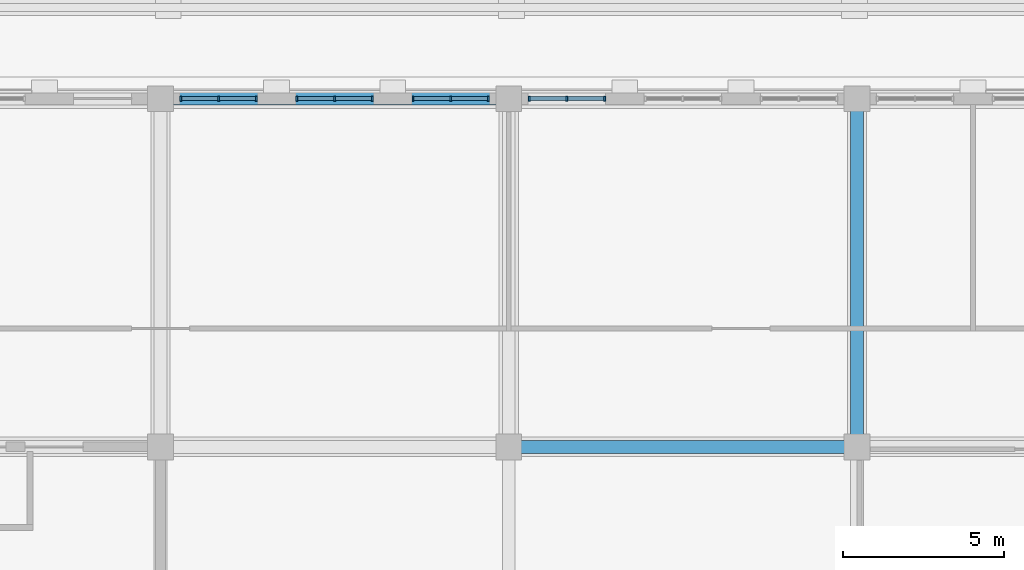
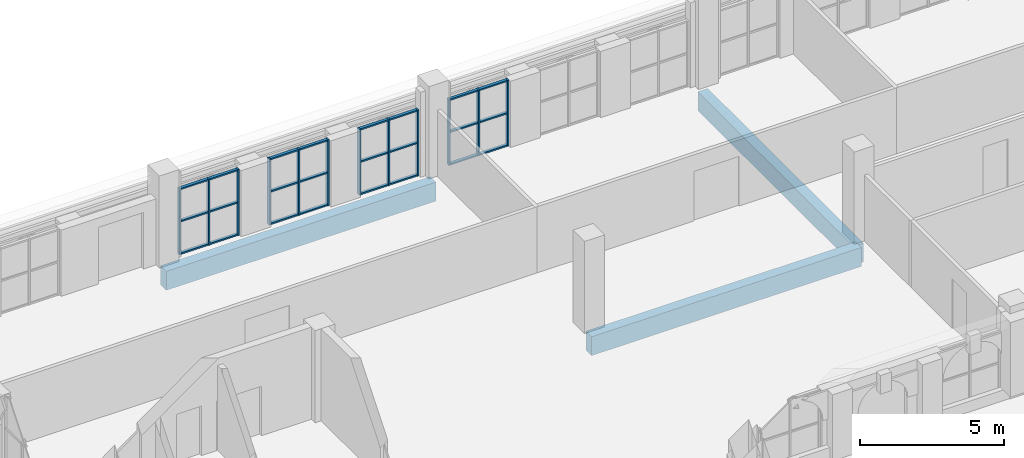
# One storey, part 31 of 95: 36 members, 3 beams, 4 elements without a shape of their own.
"""IFC4 building model written with IfcOpenShell, lengths in metres."""

from ifc_helpers import new_model, si_unit, direction, frame, origin, origin_2d, place, context, subcontext, project, spatial, rectangle, extrude, material, layer, layer_set, material_profile, profile_set, type_object, element, aggregate, save


model = new_model("IFC4")

# Units and contexts
model_context = context("Model", 3, precision=1e-05, world=origin(), true_north=direction((0.0, 1.0)))
body_context = subcontext(model_context, "Body", "Model", "MODEL_VIEW")
ifc_project = project(units=[si_unit("LENGTHUNIT", "METRE"), si_unit("AREAUNIT", "SQUARE_METRE"), si_unit("VOLUMEUNIT", "CUBIC_METRE"), si_unit("PLANEANGLEUNIT", "RADIAN"), si_unit("MASSUNIT", "GRAM", prefix="KILO")], contexts=[model_context])

# Site, building, storey
site_placement = place(None, origin())
site = spatial("IfcSite", under=ifc_project, at=site_placement, CompositionType="ELEMENT")
building_placement = place(site_placement, origin())
building = spatial("IfcBuilding", under=site, at=building_placement, Name="Magnolia Steps Interchange", CompositionType="ELEMENT")
storey_placement = place(building_placement, frame((0.0, 0.0, 4.800048828125)))
storey = spatial("IfcBuildingStorey", under=building, at=storey_placement, Name="L01", CompositionType="ELEMENT", Elevation=4.800048828125)

# Curtain wall, members
ifc_material_1 = material(Name="Powder-coated aluminium and glass", Category="aluminium")
ifc_layer = layer(ifc_material_1, 0.179931640625)
ifc_layer_set = layer_set([ifc_layer], Name="Lobby shopfront curtain wall")
curtain_wall_type = type_object("IfcCurtainWallType", Name="Lobby shopfront curtain wall", PredefinedType="NOTDEFINED", material=ifc_layer_set)
curtain_wall_1_placement = place(storey_placement, origin())
curtain_wall_1 = element("IfcCurtainWall", 1, at=curtain_wall_1_placement, inside=storey, type_object=curtain_wall_type, Name="Operations lobby north glazing 6", PredefinedType="NOTDEFINED")
ifc_material_2 = material(Name="White powder-coated aluminium", Category="aluminium")
ifc_material_profile_1 = material_profile(ifc_material_2, rectangle(XDim=0.06005859375, YDim=0.14990234375, at=origin_2d()), Name="Aluminium mullion 60 x 150")
ifc_profile_set_1 = profile_set([ifc_material_profile_1], Name="White powder-coated aluminium")
member_type_1 = type_object("IfcMemberType", Name="Aluminium mullion 60 x 150", PredefinedType="MULLION", material=ifc_profile_set_1)
member_1_placement = place(storey_placement, frame((75.429931640625, 118.0, 0.0), z_axis=(0.0, 0.0, 1.0), x_axis=(1.0, 0.0, 0.0)))
member_1 = element("IfcMember", 2, at=member_1_placement, type_object=member_type_1, Name="CW5 mullion 1", PredefinedType="MULLION", context=body_context, shape_type="SweptSolid", body=[
    extrude(rectangle(XDim=0.06005859375, YDim=0.14990234375, at=origin_2d()), origin(), (0.0, 0.0, 1.0), 2.800048828125),
])
member_2_placement = place(storey_placement, frame((76.60009765625, 118.0, 0.0), z_axis=(0.0, 0.0, 1.0), x_axis=(1.0, 0.0, 0.0)))
member_2 = element("IfcMember", 3, at=member_2_placement, type_object=member_type_1, Name="CW5 mullion 2", PredefinedType="MULLION", context=body_context, shape_type="SweptSolid", body=[
    extrude(rectangle(XDim=0.06005859375, YDim=0.14990234375, at=origin_2d()), origin(), (0.0, 0.0, 1.0), 2.800048828125),
])
member_3_placement = place(storey_placement, frame((77.77001953125, 118.0, 0.0), z_axis=(0.0, 0.0, 1.0), x_axis=(1.0, 0.0, 0.0)))
member_3 = element("IfcMember", 4, at=member_3_placement, type_object=member_type_1, Name="CW5 mullion 3", PredefinedType="MULLION", context=body_context, shape_type="SweptSolid", body=[
    extrude(rectangle(XDim=0.06005859375, YDim=0.14990234375, at=origin_2d()), origin(), (0.0, 0.0, 1.0), 2.800048828125),
])

curtain_wall_2_placement = place(storey_placement, origin())
curtain_wall_2 = element("IfcCurtainWall", 5, at=curtain_wall_2_placement, inside=storey, type_object=curtain_wall_type, Name="Operations lobby north glazing 8", PredefinedType="NOTDEFINED")
member_4_placement = place(storey_placement, frame((79.030029296875, 118.0, 0.0), z_axis=(0.0, 0.0, 1.0), x_axis=(1.0, 0.0, 0.0)))
member_4 = element("IfcMember", 6, at=member_4_placement, type_object=member_type_1, Name="CW5 mullion 1", PredefinedType="MULLION", context=body_context, shape_type="SweptSolid", body=[
    extrude(rectangle(XDim=0.06005859375, YDim=0.14990234375, at=origin_2d()), origin(), (0.0, 0.0, 1.0), 2.800048828125),
])
member_5_placement = place(storey_placement, frame((80.199951171875, 118.0, 0.0), z_axis=(0.0, 0.0, 1.0), x_axis=(1.0, 0.0, 0.0)))
member_5 = element("IfcMember", 7, at=member_5_placement, type_object=member_type_1, Name="CW5 mullion 2", PredefinedType="MULLION", context=body_context, shape_type="SweptSolid", body=[
    extrude(rectangle(XDim=0.06005859375, YDim=0.14990234375, at=origin_2d()), origin(), (0.0, 0.0, 1.0), 2.800048828125),
])
member_6_placement = place(storey_placement, frame((81.3701171875, 118.0, 0.0), z_axis=(0.0, 0.0, 1.0), x_axis=(1.0, 0.0, 0.0)))
member_6 = element("IfcMember", 8, at=member_6_placement, type_object=member_type_1, Name="CW5 mullion 3", PredefinedType="MULLION", context=body_context, shape_type="SweptSolid", body=[
    extrude(rectangle(XDim=0.06005859375, YDim=0.14990234375, at=origin_2d()), origin(), (0.0, 0.0, 1.0), 2.800048828125),
])

curtain_wall_3_placement = place(storey_placement, origin())
curtain_wall_3 = element("IfcCurtainWall", 9, at=curtain_wall_3_placement, inside=storey, type_object=curtain_wall_type, Name="Operations lobby north glazing 10", PredefinedType="NOTDEFINED")
member_7_placement = place(storey_placement, frame((82.6298828125, 118.0, 0.0), z_axis=(0.0, 0.0, 1.0), x_axis=(1.0, 0.0, 0.0)))
member_7 = element("IfcMember", 10, at=member_7_placement, type_object=member_type_1, Name="CW5 mullion 1", PredefinedType="MULLION", context=body_context, shape_type="SweptSolid", body=[
    extrude(rectangle(XDim=0.06005859375, YDim=0.14990234375, at=origin_2d()), origin(), (0.0, 0.0, 1.0), 2.800048828125),
])
member_8_placement = place(storey_placement, frame((83.800048828125, 118.0, 0.0), z_axis=(0.0, 0.0, 1.0), x_axis=(1.0, 0.0, 0.0)))
member_8 = element("IfcMember", 11, at=member_8_placement, type_object=member_type_1, Name="CW5 mullion 2", PredefinedType="MULLION", context=body_context, shape_type="SweptSolid", body=[
    extrude(rectangle(XDim=0.06005859375, YDim=0.14990234375, at=origin_2d()), origin(), (0.0, 0.0, 1.0), 2.800048828125),
])
member_9_placement = place(storey_placement, frame((84.969970703125, 118.0, 0.0), z_axis=(0.0, 0.0, 1.0), x_axis=(1.0, 0.0, 0.0)))
member_9 = element("IfcMember", 12, at=member_9_placement, type_object=member_type_1, Name="CW5 mullion 3", PredefinedType="MULLION", context=body_context, shape_type="SweptSolid", body=[
    extrude(rectangle(XDim=0.06005859375, YDim=0.14990234375, at=origin_2d()), origin(), (0.0, 0.0, 1.0), 2.800048828125),
])

curtain_wall_4_placement = place(storey_placement, origin())
curtain_wall_4 = element("IfcCurtainWall", 13, at=curtain_wall_4_placement, inside=storey, type_object=curtain_wall_type, Name="Operations lobby north glazing 12", PredefinedType="NOTDEFINED")
member_10_placement = place(storey_placement, frame((86.22998046875, 118.0, 0.0), z_axis=(0.0, 0.0, 1.0), x_axis=(1.0, 0.0, 0.0)))
member_10 = element("IfcMember", 14, at=member_10_placement, type_object=member_type_1, Name="CW5 mullion 1", PredefinedType="MULLION", context=body_context, shape_type="SweptSolid", body=[
    extrude(rectangle(XDim=0.06005859375, YDim=0.14990234375, at=origin_2d()), origin(), (0.0, 0.0, 1.0), 2.800048828125),
])
member_11_placement = place(storey_placement, frame((87.39990234375, 118.0, 0.0), z_axis=(0.0, 0.0, 1.0), x_axis=(1.0, 0.0, 0.0)))
member_11 = element("IfcMember", 15, at=member_11_placement, type_object=member_type_1, Name="CW5 mullion 2", PredefinedType="MULLION", context=body_context, shape_type="SweptSolid", body=[
    extrude(rectangle(XDim=0.06005859375, YDim=0.14990234375, at=origin_2d()), origin(), (0.0, 0.0, 1.0), 2.800048828125),
])
member_12_placement = place(storey_placement, frame((88.570068359375, 118.0, 0.0), z_axis=(0.0, 0.0, 1.0), x_axis=(1.0, 0.0, 0.0)))
member_12 = element("IfcMember", 16, at=member_12_placement, type_object=member_type_1, Name="CW5 mullion 3", PredefinedType="MULLION", context=body_context, shape_type="SweptSolid", body=[
    extrude(rectangle(XDim=0.06005859375, YDim=0.14990234375, at=origin_2d()), origin(), (0.0, 0.0, 1.0), 2.800048828125),
])

# Member
ifc_material_3 = material(Name="White powder-coated aluminium", Category="aluminium")
ifc_material_profile_2 = material_profile(ifc_material_3, rectangle(XDim=0.06005859375, YDim=0.1201171875, at=origin_2d()), Name="Aluminium transom 60 x 120")
ifc_profile_set_2 = profile_set([ifc_material_profile_2], Name="White powder-coated aluminium")
member_type_2 = type_object("IfcMemberType", Name="Aluminium transom 60 x 120", PredefinedType="USERDEFINED", material=ifc_profile_set_2)
member_13_placement = place(storey_placement, frame((75.4599609375, 118.0, 0.030029296875), z_axis=(1.0, 0.0, 0.0), x_axis=(0.0, 0.0, 1.0)))
member_13 = element("IfcMember", 17, at=member_13_placement, type_object=member_type_2, Name="CW5 transom 1.1", ObjectType="TRANSOM", PredefinedType="USERDEFINED", context=body_context, shape_type="SweptSolid", body=[
    extrude(rectangle(XDim=0.06005859375, YDim=0.1201171875, at=origin_2d()), origin(), (0.0, 0.0, 1.0), 1.110107421875),
])

member_14_placement = place(storey_placement, frame((75.4599609375, 118.0, 1.39990234375), z_axis=(1.0, 0.0, 0.0), x_axis=(0.0, 0.0, 1.0)))
member_14 = element("IfcMember", 18, at=member_14_placement, type_object=member_type_2, Name="CW5 transom 1.2", ObjectType="TRANSOM", PredefinedType="USERDEFINED", context=body_context, shape_type="SweptSolid", body=[
    extrude(rectangle(XDim=0.06005859375, YDim=0.1201171875, at=origin_2d()), origin(), (0.0, 0.0, 1.0), 1.110107421875),
])

member_15_placement = place(storey_placement, frame((75.4599609375, 118.0, 2.77001953125), z_axis=(1.0, 0.0, 0.0), x_axis=(0.0, 0.0, 1.0)))
member_15 = element("IfcMember", 19, at=member_15_placement, type_object=member_type_2, Name="CW5 transom 1.3", ObjectType="TRANSOM", PredefinedType="USERDEFINED", context=body_context, shape_type="SweptSolid", body=[
    extrude(rectangle(XDim=0.06005859375, YDim=0.1201171875, at=origin_2d()), origin(), (0.0, 0.0, 1.0), 1.110107421875),
])

member_16_placement = place(storey_placement, frame((76.6298828125, 118.0, 0.030029296875), z_axis=(1.0, 0.0, 0.0), x_axis=(0.0, 0.0, 1.0)))
member_16 = element("IfcMember", 20, at=member_16_placement, type_object=member_type_2, Name="CW5 transom 2.1", ObjectType="TRANSOM", PredefinedType="USERDEFINED", context=body_context, shape_type="SweptSolid", body=[
    extrude(rectangle(XDim=0.06005859375, YDim=0.1201171875, at=origin_2d()), origin(), (0.0, 0.0, 1.0), 1.110107421875),
])

member_17_placement = place(storey_placement, frame((76.6298828125, 118.0, 1.39990234375), z_axis=(1.0, 0.0, 0.0), x_axis=(0.0, 0.0, 1.0)))
member_17 = element("IfcMember", 21, at=member_17_placement, type_object=member_type_2, Name="CW5 transom 2.2", ObjectType="TRANSOM", PredefinedType="USERDEFINED", context=body_context, shape_type="SweptSolid", body=[
    extrude(rectangle(XDim=0.06005859375, YDim=0.1201171875, at=origin_2d()), origin(), (0.0, 0.0, 1.0), 1.110107421875),
])

member_18_placement = place(storey_placement, frame((76.6298828125, 118.0, 2.77001953125), z_axis=(1.0, 0.0, 0.0), x_axis=(0.0, 0.0, 1.0)))
member_18 = element("IfcMember", 22, at=member_18_placement, type_object=member_type_2, Name="CW5 transom 2.3", ObjectType="TRANSOM", PredefinedType="USERDEFINED", context=body_context, shape_type="SweptSolid", body=[
    extrude(rectangle(XDim=0.06005859375, YDim=0.1201171875, at=origin_2d()), origin(), (0.0, 0.0, 1.0), 1.110107421875),
])

aggregate(curtain_wall_1, [member_1, member_2, member_3, member_13, member_14, member_15, member_16, member_17, member_18])

member_19_placement = place(storey_placement, frame((79.06005859375, 118.0, 0.030029296875), z_axis=(1.0, 0.0, 0.0), x_axis=(0.0, 0.0, 1.0)))
member_19 = element("IfcMember", 23, at=member_19_placement, type_object=member_type_2, Name="CW5 transom 1.1", ObjectType="TRANSOM", PredefinedType="USERDEFINED", context=body_context, shape_type="SweptSolid", body=[
    extrude(rectangle(XDim=0.06005859375, YDim=0.1201171875, at=origin_2d()), origin(), (0.0, 0.0, 1.0), 1.10986328125),
])

member_20_placement = place(storey_placement, frame((79.06005859375, 118.0, 1.39990234375), z_axis=(1.0, 0.0, 0.0), x_axis=(0.0, 0.0, 1.0)))
member_20 = element("IfcMember", 24, at=member_20_placement, type_object=member_type_2, Name="CW5 transom 1.2", ObjectType="TRANSOM", PredefinedType="USERDEFINED", context=body_context, shape_type="SweptSolid", body=[
    extrude(rectangle(XDim=0.06005859375, YDim=0.1201171875, at=origin_2d()), origin(), (0.0, 0.0, 1.0), 1.10986328125),
])

member_21_placement = place(storey_placement, frame((79.06005859375, 118.0, 2.77001953125), z_axis=(1.0, 0.0, 0.0), x_axis=(0.0, 0.0, 1.0)))
member_21 = element("IfcMember", 25, at=member_21_placement, type_object=member_type_2, Name="CW5 transom 1.3", ObjectType="TRANSOM", PredefinedType="USERDEFINED", context=body_context, shape_type="SweptSolid", body=[
    extrude(rectangle(XDim=0.06005859375, YDim=0.1201171875, at=origin_2d()), origin(), (0.0, 0.0, 1.0), 1.10986328125),
])

member_22_placement = place(storey_placement, frame((80.22998046875, 118.0, 0.030029296875), z_axis=(1.0, 0.0, 0.0), x_axis=(0.0, 0.0, 1.0)))
member_22 = element("IfcMember", 26, at=member_22_placement, type_object=member_type_2, Name="CW5 transom 2.1", ObjectType="TRANSOM", PredefinedType="USERDEFINED", context=body_context, shape_type="SweptSolid", body=[
    extrude(rectangle(XDim=0.06005859375, YDim=0.1201171875, at=origin_2d()), origin(), (0.0, 0.0, 1.0), 1.110107421875),
])

member_23_placement = place(storey_placement, frame((80.22998046875, 118.0, 1.39990234375), z_axis=(1.0, 0.0, 0.0), x_axis=(0.0, 0.0, 1.0)))
member_23 = element("IfcMember", 27, at=member_23_placement, type_object=member_type_2, Name="CW5 transom 2.2", ObjectType="TRANSOM", PredefinedType="USERDEFINED", context=body_context, shape_type="SweptSolid", body=[
    extrude(rectangle(XDim=0.06005859375, YDim=0.1201171875, at=origin_2d()), origin(), (0.0, 0.0, 1.0), 1.110107421875),
])

member_24_placement = place(storey_placement, frame((80.22998046875, 118.0, 2.77001953125), z_axis=(1.0, 0.0, 0.0), x_axis=(0.0, 0.0, 1.0)))
member_24 = element("IfcMember", 28, at=member_24_placement, type_object=member_type_2, Name="CW5 transom 2.3", ObjectType="TRANSOM", PredefinedType="USERDEFINED", context=body_context, shape_type="SweptSolid", body=[
    extrude(rectangle(XDim=0.06005859375, YDim=0.1201171875, at=origin_2d()), origin(), (0.0, 0.0, 1.0), 1.110107421875),
])

aggregate(curtain_wall_2, [member_4, member_5, member_6, member_19, member_20, member_21, member_22, member_23, member_24])

member_25_placement = place(storey_placement, frame((82.659912109375, 118.0, 0.030029296875), z_axis=(1.0, 0.0, 0.0), x_axis=(0.0, 0.0, 1.0)))
member_25 = element("IfcMember", 29, at=member_25_placement, type_object=member_type_2, Name="CW5 transom 1.1", ObjectType="TRANSOM", PredefinedType="USERDEFINED", context=body_context, shape_type="SweptSolid", body=[
    extrude(rectangle(XDim=0.06005859375, YDim=0.1201171875, at=origin_2d()), origin(), (0.0, 0.0, 1.0), 1.110107421875),
])

member_26_placement = place(storey_placement, frame((82.659912109375, 118.0, 1.39990234375), z_axis=(1.0, 0.0, 0.0), x_axis=(0.0, 0.0, 1.0)))
member_26 = element("IfcMember", 30, at=member_26_placement, type_object=member_type_2, Name="CW5 transom 1.2", ObjectType="TRANSOM", PredefinedType="USERDEFINED", context=body_context, shape_type="SweptSolid", body=[
    extrude(rectangle(XDim=0.06005859375, YDim=0.1201171875, at=origin_2d()), origin(), (0.0, 0.0, 1.0), 1.110107421875),
])

member_27_placement = place(storey_placement, frame((82.659912109375, 118.0, 2.77001953125), z_axis=(1.0, 0.0, 0.0), x_axis=(0.0, 0.0, 1.0)))
member_27 = element("IfcMember", 31, at=member_27_placement, type_object=member_type_2, Name="CW5 transom 1.3", ObjectType="TRANSOM", PredefinedType="USERDEFINED", context=body_context, shape_type="SweptSolid", body=[
    extrude(rectangle(XDim=0.06005859375, YDim=0.1201171875, at=origin_2d()), origin(), (0.0, 0.0, 1.0), 1.110107421875),
])

member_28_placement = place(storey_placement, frame((83.830078125, 118.0, 0.030029296875), z_axis=(1.0, 0.0, 0.0), x_axis=(0.0, 0.0, 1.0)))
member_28 = element("IfcMember", 32, at=member_28_placement, type_object=member_type_2, Name="CW5 transom 2.1", ObjectType="TRANSOM", PredefinedType="USERDEFINED", context=body_context, shape_type="SweptSolid", body=[
    extrude(rectangle(XDim=0.06005859375, YDim=0.1201171875, at=origin_2d()), origin(), (0.0, 0.0, 1.0), 1.10986328125),
])

member_29_placement = place(storey_placement, frame((83.830078125, 118.0, 1.39990234375), z_axis=(1.0, 0.0, 0.0), x_axis=(0.0, 0.0, 1.0)))
member_29 = element("IfcMember", 33, at=member_29_placement, type_object=member_type_2, Name="CW5 transom 2.2", ObjectType="TRANSOM", PredefinedType="USERDEFINED", context=body_context, shape_type="SweptSolid", body=[
    extrude(rectangle(XDim=0.06005859375, YDim=0.1201171875, at=origin_2d()), origin(), (0.0, 0.0, 1.0), 1.10986328125),
])

member_30_placement = place(storey_placement, frame((83.830078125, 118.0, 2.77001953125), z_axis=(1.0, 0.0, 0.0), x_axis=(0.0, 0.0, 1.0)))
member_30 = element("IfcMember", 34, at=member_30_placement, type_object=member_type_2, Name="CW5 transom 2.3", ObjectType="TRANSOM", PredefinedType="USERDEFINED", context=body_context, shape_type="SweptSolid", body=[
    extrude(rectangle(XDim=0.06005859375, YDim=0.1201171875, at=origin_2d()), origin(), (0.0, 0.0, 1.0), 1.10986328125),
])

aggregate(curtain_wall_3, [member_7, member_8, member_9, member_25, member_26, member_27, member_28, member_29, member_30])

member_31_placement = place(storey_placement, frame((86.260009765625, 118.0, 0.030029296875), z_axis=(1.0, 0.0, 0.0), x_axis=(0.0, 0.0, 1.0)))
member_31 = element("IfcMember", 35, at=member_31_placement, type_object=member_type_2, Name="CW5 transom 1.1", ObjectType="TRANSOM", PredefinedType="USERDEFINED", context=body_context, shape_type="SweptSolid", body=[
    extrude(rectangle(XDim=0.06005859375, YDim=0.1201171875, at=origin_2d()), origin(), (0.0, 0.0, 1.0), 1.110107421875),
])

member_32_placement = place(storey_placement, frame((86.260009765625, 118.0, 1.39990234375), z_axis=(1.0, 0.0, 0.0), x_axis=(0.0, 0.0, 1.0)))
member_32 = element("IfcMember", 36, at=member_32_placement, type_object=member_type_2, Name="CW5 transom 1.2", ObjectType="TRANSOM", PredefinedType="USERDEFINED", context=body_context, shape_type="SweptSolid", body=[
    extrude(rectangle(XDim=0.06005859375, YDim=0.1201171875, at=origin_2d()), origin(), (0.0, 0.0, 1.0), 1.110107421875),
])

member_33_placement = place(storey_placement, frame((86.260009765625, 118.0, 2.77001953125), z_axis=(1.0, 0.0, 0.0), x_axis=(0.0, 0.0, 1.0)))
member_33 = element("IfcMember", 37, at=member_33_placement, type_object=member_type_2, Name="CW5 transom 1.3", ObjectType="TRANSOM", PredefinedType="USERDEFINED", context=body_context, shape_type="SweptSolid", body=[
    extrude(rectangle(XDim=0.06005859375, YDim=0.1201171875, at=origin_2d()), origin(), (0.0, 0.0, 1.0), 1.110107421875),
])

member_34_placement = place(storey_placement, frame((87.429931640625, 118.0, 0.030029296875), z_axis=(1.0, 0.0, 0.0), x_axis=(0.0, 0.0, 1.0)))
member_34 = element("IfcMember", 38, at=member_34_placement, type_object=member_type_2, Name="CW5 transom 2.1", ObjectType="TRANSOM", PredefinedType="USERDEFINED", context=body_context, shape_type="SweptSolid", body=[
    extrude(rectangle(XDim=0.06005859375, YDim=0.1201171875, at=origin_2d()), origin(), (0.0, 0.0, 1.0), 1.110107421875),
])

member_35_placement = place(storey_placement, frame((87.429931640625, 118.0, 1.39990234375), z_axis=(1.0, 0.0, 0.0), x_axis=(0.0, 0.0, 1.0)))
member_35 = element("IfcMember", 39, at=member_35_placement, type_object=member_type_2, Name="CW5 transom 2.2", ObjectType="TRANSOM", PredefinedType="USERDEFINED", context=body_context, shape_type="SweptSolid", body=[
    extrude(rectangle(XDim=0.06005859375, YDim=0.1201171875, at=origin_2d()), origin(), (0.0, 0.0, 1.0), 1.110107421875),
])

member_36_placement = place(storey_placement, frame((87.429931640625, 118.0, 2.77001953125), z_axis=(1.0, 0.0, 0.0), x_axis=(0.0, 0.0, 1.0)))
member_36 = element("IfcMember", 40, at=member_36_placement, type_object=member_type_2, Name="CW5 transom 2.3", ObjectType="TRANSOM", PredefinedType="USERDEFINED", context=body_context, shape_type="SweptSolid", body=[
    extrude(rectangle(XDim=0.06005859375, YDim=0.1201171875, at=origin_2d()), origin(), (0.0, 0.0, 1.0), 1.110107421875),
])

aggregate(curtain_wall_4, [member_10, member_11, member_12, member_31, member_32, member_33, member_34, member_35, member_36])

# Beams
ifc_material_4 = material(Name="Concrete C40", Category="concrete")
ifc_material_profile_3 = material_profile(ifc_material_4, rectangle(XDim=0.39990234375, YDim=0.800048828125, at=origin_2d()), Name="RC400x800")
ifc_profile_set_3 = profile_set([ifc_material_profile_3], Name="Concrete C40")
beam_type = type_object("IfcBeamType", Name="RC beam 400x800", PredefinedType="BEAM", material=ifc_profile_set_3)
beam_placement = place(storey_placement, frame((85.60009765625, 107.199951171875, -0.800048828125), z_axis=(1.0, 0.0, 0.0), x_axis=(0.0, 1.0, 0.0)))
element("IfcBeam", 41, at=beam_placement, inside=storey, type_object=beam_type, Name="Beam L01 J 8-9", PredefinedType="BEAM", context=body_context, shape_type="SweptSolid", body=[
    extrude(rectangle(XDim=0.39990234375, YDim=0.800048828125, at=origin_2d()), origin(), (0.0, 0.0, 1.0), 10.7998046875),
])
for number, where, z_axis, x_axis, name in (
    (42, (74.800048828125, 118.0, -0.800048828125), (1.0, 0.0, 0.0), (0.0, 1.0, 0.0), "Beam L01 K 7-8"),
    (43, (96.39990234375, 107.199951171875, -0.800048828125), (0.0, 1.0, 0.0), (-1.0, 0.0, 0.0), "Beam L01 9 J-K"),
):
    element("IfcBeam", number, at=place(storey_placement, frame(where, z_axis=z_axis, x_axis=x_axis)), inside=storey, type_object=beam_type, Name=name, PredefinedType="BEAM", context=body_context, shape_type="SweptSolid", body=[
        extrude(rectangle(XDim=0.39990234375, YDim=0.800048828125, at=origin_2d()), origin(), (0.0, 0.0, 1.0), 10.800048828125),
    ])

save(model, "model.ifc")
